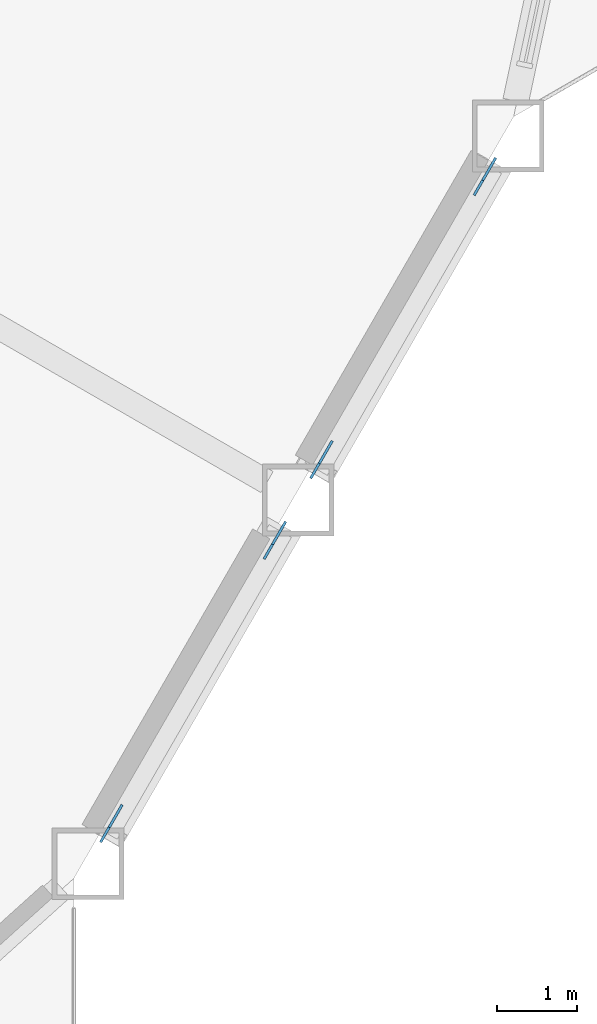
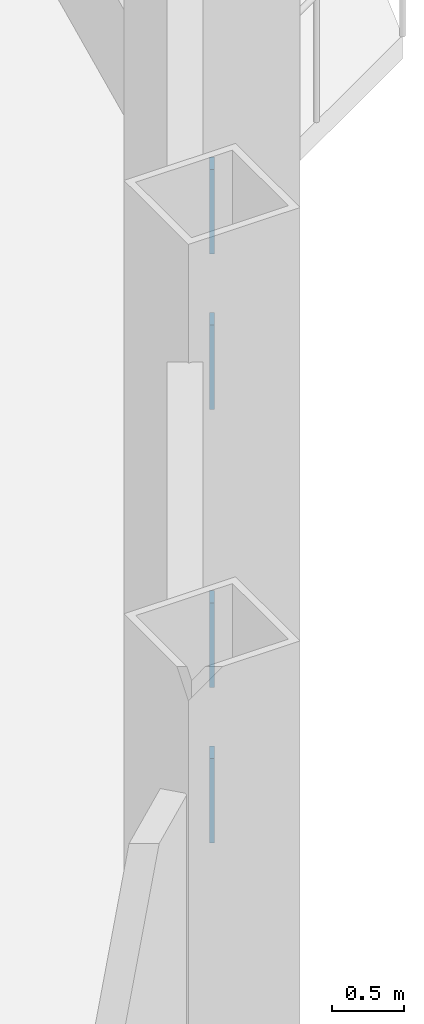
# One storey, part 15 of 21: 4 discrete accessories.
"""IFC4 building model written with IfcOpenShell, lengths in metres."""

import ifcopenshell
import ifcopenshell.guid

model = None  # the IFC model being written
_history = None  # IfcOwnerHistory: only IFC2X3 demands one
_inside = {}  # id of a spatial element -> (the spatial element, [elements in it])
_under = {}  # id of a project, library or spatial element -> (it, [spatial elements below it])
_declared = {}  # id of a project -> (the project, [libraries it declares])
_typed = {}  # id of a type object -> (the type object, [elements of that type])
_made_of = {}  # id of a material, layer set ... -> (it, [elements and type objects made of it])


def new_model(schema):
    """Start an empty IFC model of exactly this schema.

    Asked for "IFC4X3", IfcOpenShell would pick the latest addendum, in which some entities
    have other attributes; the version numbers below select the first issue.
    IFC2X3 requires an IfcOwnerHistory on every rooted entity: one is made here for all.
    """
    global model, _history
    if schema == "IFC4X3":
        model = ifcopenshell.file(schema_version=(4, 3, 0, 0))
    else:
        model = ifcopenshell.file(schema=schema)
    _inside.clear()
    _under.clear()
    _declared.clear()
    _typed.clear()
    _made_of.clear()
    _history = None
    if model.schema == "IFC2X3":
        org = make("IfcOrganization", Name="unknown")
        user = make(
            "IfcPersonAndOrganization",
            ThePerson=make("IfcPerson", FamilyName="unknown"),
            TheOrganization=org,
        )
        app = make(
            "IfcApplication",
            ApplicationDeveloper=org,
            Version="unknown",
            ApplicationFullName="unknown",
            ApplicationIdentifier="unknown",
        )
        _history = make(
            "IfcOwnerHistory",
            OwningUser=user,
            OwningApplication=app,
            ChangeAction="ADDED",
            CreationDate=0,
        )
    return model


def make(cls, **values):
    """One entity of the class cls with the attributes given. An attribute that is None is left unset."""
    return model.create_entity(
        cls, **{name: value for name, value in values.items() if value is not None}
    )


def rooted(cls, **values):
    """An entity with a GlobalId (a new one), such as an element, a storey or a relation."""
    return make(cls, GlobalId=ifcopenshell.guid.new(), OwnerHistory=_history, **values)


def si_unit(unit_type, name, prefix=None):
    """IfcSIUnit, for example si_unit("LENGTHUNIT", "METRE", prefix="MILLI")."""
    return make("IfcSIUnit", UnitType=unit_type, Prefix=prefix, Name=name)


def assignment(units):
    """IfcUnitAssignment: the units of a project."""
    return None if units is None else make("IfcUnitAssignment", Units=units)


def point(xyz):
    """IfcCartesianPoint."""
    return None if xyz is None else make("IfcCartesianPoint", Coordinates=xyz)


def direction(xyz):
    """IfcDirection."""
    return None if xyz is None else make("IfcDirection", DirectionRatios=xyz)


def frame(location, z_axis=None, x_axis=None):
    """IfcAxis2Placement3D, a coordinate frame: its origin and axes. An axis left out is left unset."""
    return make(
        "IfcAxis2Placement3D",
        Location=point(location),
        Axis=direction(z_axis),
        RefDirection=direction(x_axis),
    )


def frame_2d(location, x_axis=None):
    """IfcAxis2Placement2D, a coordinate frame in the plane: its origin and x axis."""
    return make(
        "IfcAxis2Placement2D", Location=point(location), RefDirection=direction(x_axis)
    )


def origin():
    """The frame at (0, 0, 0) with its axes left unset."""
    return frame((0.0, 0.0, 0.0))


def origin_2d():
    """The frame at (0, 0) in the plane with its x axis left unset."""
    return frame_2d((0.0, 0.0))


def place(relative_to, where):
    """IfcLocalPlacement: puts the frame where relative to a parent placement (None: the world)."""
    return make(
        "IfcLocalPlacement", PlacementRelTo=relative_to, RelativePlacement=where
    )


def context(
    kind, dimensions, precision=None, world=None, true_north=None, identifier=None
):
    """IfcGeometricRepresentationContext, for example the 3D "Model" context."""
    return make(
        "IfcGeometricRepresentationContext",
        ContextIdentifier=identifier,
        ContextType=kind,
        CoordinateSpaceDimension=dimensions,
        Precision=precision,
        WorldCoordinateSystem=world,
        TrueNorth=true_north,
    )


def subcontext(parent, identifier, kind, view, scale=None):
    """IfcGeometricRepresentationSubContext, for example "Body" below "Model"."""
    return make(
        "IfcGeometricRepresentationSubContext",
        ContextIdentifier=identifier,
        ContextType=kind,
        ParentContext=parent,
        TargetScale=scale,
        TargetView=view,
    )


def project(units=None, contexts=None):
    """IfcProject with its units and contexts."""
    return rooted(
        "IfcProject",
        Name="project",
        RepresentationContexts=contexts,
        UnitsInContext=assignment(units),
    )


def spatial(cls, under=None, at=None, **own):
    """A site, building, storey or space (cls), placed at a placement, below another one or the project."""
    s = rooted(cls, ObjectPlacement=at, **own)
    if under is not None:
        _under.setdefault(under.id(), (under, []))[1].append(s)
    return s


def profile(cls, at=None, kind="AREA", **sizes):
    """A parametric profile (cls). Its sizes go by their IFC names, for example OverallWidth=200.0."""
    return make(cls, ProfileType=kind, Position=at, **sizes)


def rectangle(**sizes):
    """IfcRectangleProfileDef."""
    return profile("IfcRectangleProfileDef", **sizes)


def extrude(swept, where, along, depth):
    """IfcExtrudedAreaSolid: the profile swept, set in the frame where, extruded along a direction by depth."""
    return make(
        "IfcExtrudedAreaSolid",
        SweptArea=swept,
        Position=where,
        ExtrudedDirection=direction(along),
        Depth=depth,
    )


def shape(context_of_items, identifier, shape_type, items):
    """IfcShapeRepresentation: the items that make up one representation, for example the "Body"."""
    return make(
        "IfcShapeRepresentation",
        ContextOfItems=context_of_items,
        RepresentationIdentifier=identifier,
        RepresentationType=shape_type,
        Items=items,
    )


def material(Name=None, Category=None):
    """IfcMaterial."""
    return make("IfcMaterial", Name=Name, Category=Category)


def material_profile(
    of_material, cross_section, Name=None, Category=None, Priority=None
):
    """IfcMaterialProfile: a cross section and its material."""
    return make(
        "IfcMaterialProfile",
        Name=Name,
        Material=of_material,
        Profile=cross_section,
        Priority=Priority,
        Category=Category,
    )


def profile_set(profiles, Name=None, composite=None):
    """IfcMaterialProfileSet."""
    return make(
        "IfcMaterialProfileSet",
        Name=Name,
        MaterialProfiles=profiles,
        CompositeProfile=composite,
    )


def made_of(thing, what):
    """Note that an element or type object is made of a material, layer set ...; save() writes the relation."""
    if what is not None:
        _made_of.setdefault(what.id(), (what, []))[1].append(thing)
    return thing


def type_object(cls, material=None, **own):
    """A type object (cls), such as IfcWallType, which elements share."""
    return made_of(rooted(cls, **own), material)


def element(
    cls,
    number,
    at=None,
    inside=None,
    cuts=None,
    type_object=None,
    material=None,
    context=None,
    identifier="Body",
    shape_type=None,
    held_by="IfcProductDefinitionShape",
    body=None,
    shapes=None,
    **own,
):
    """One element of the class cls, such as IfcWall. Its Tag is "e" and its number.

    at: its placement. inside: the storey or other place that contains it. cuts: it is an
    opening in that element (IfcRelVoidsElement). A single representation is given by context,
    identifier, shape_type and body (its items); several are given by shapes. held_by: the class
    of the entity that holds the representations. save() writes the other relations.
    """
    e = rooted(cls, Tag="e%d" % number, ObjectPlacement=at, **own)
    if body is not None:
        shapes = [shape(context, identifier, shape_type, body)]
    if shapes is not None:
        e.Representation = make(held_by, Representations=shapes)
    if inside is not None:
        _inside.setdefault(inside.id(), (inside, []))[1].append(e)
    if cuts is not None:
        rooted(
            "IfcRelVoidsElement", RelatingBuildingElement=cuts, RelatedOpeningElement=e
        )
    if type_object is not None:
        _typed.setdefault(type_object.id(), (type_object, []))[1].append(e)
    return made_of(e, material)


def aggregate(whole, parts):
    """IfcRelAggregates: a whole, such as a stair, and the parts it consists of."""
    return rooted("IfcRelAggregates", RelatingObject=whole, RelatedObjects=parts)


def save(model, path):
    """Write the relations noted so far, then the file.

    IfcRelAggregates (storeys below a building ...), IfcRelContainedInSpatialStructure (elements
    in a storey), IfcRelDefinesByType, IfcRelAssociatesMaterial and IfcRelDeclares: one each for
    every whole, place, type object, material and project.
    """
    for whole, parts in _under.values():
        aggregate(whole, parts)
    for where, things in _inside.values():
        rooted(
            "IfcRelContainedInSpatialStructure",
            RelatedElements=things,
            RelatingStructure=where,
        )
    for kind, things in _typed.values():
        rooted("IfcRelDefinesByType", RelatedObjects=things, RelatingType=kind)
    for what, things in _made_of.values():
        rooted("IfcRelAssociatesMaterial", RelatedObjects=things, RelatingMaterial=what)
    for by, libraries in _declared.values():
        rooted("IfcRelDeclares", RelatingContext=by, RelatedDefinitions=libraries)
    model.write(path)


model = new_model("IFC4")

# Units and contexts
model_context = context("Model", 3, precision=1e-05, world=origin(), true_north=direction((0.0, 1.0)))
body_context = subcontext(model_context, "Body", "Model", "MODEL_VIEW")
ifc_project = project(units=[si_unit("LENGTHUNIT", "METRE"), si_unit("AREAUNIT", "SQUARE_METRE"), si_unit("VOLUMEUNIT", "CUBIC_METRE"), si_unit("PLANEANGLEUNIT", "RADIAN"), si_unit("MASSUNIT", "GRAM", prefix="KILO")], contexts=[model_context])

# Site, building, storey
site_placement = place(None, origin())
site = spatial("IfcSite", under=ifc_project, at=site_placement, CompositionType="ELEMENT")
building_placement = place(site_placement, origin())
building = spatial("IfcBuilding", under=site, at=building_placement, Name="Cormorant Prow Tower", CompositionType="ELEMENT")
storey_placement = place(building_placement, frame((0.0, 0.0, 137.39990234375)))
storey = spatial("IfcBuildingStorey", under=building, at=storey_placement, Name="L29", CompositionType="ELEMENT", Elevation=137.39990234375)

# Discrete accessories
ifc_material = material(Name="Structural steel ASTM A500 Gr C", Category="steel")
ifc_material_profile = material_profile(ifc_material, rectangle(XDim=0.031982421875, YDim=0.60791015625, at=origin_2d()), Name="Gusset plate 32x608")
ifc_profile_set = profile_set([ifc_material_profile], Name="Structural steel ASTM A500 Gr C")
discrete_accessory_type = type_object("IfcDiscreteAccessoryType", Name="Gusset plate 32x608", PredefinedType="BRACKET", material=ifc_profile_set)
discrete_accessory_placement = place(storey_placement, frame((27.76025390625, -16.8916015625, 0.882568359375), z_axis=(0.468167615655, 0.810048586848, -0.353044431477), x_axis=(-0.865800459427, 0.500389412813, 0.0)))
element("IfcDiscreteAccessory", 1, at=discrete_accessory_placement, inside=storey, type_object=discrete_accessory_type, Name="Gusset plate GP1 L29.ESE00.g0", PredefinedType="BRACKET", context=body_context, shape_type="SweptSolid", body=[
    extrude(rectangle(XDim=0.031982421875, YDim=0.60791015625, at=origin_2d()), origin(), (0.0, 0.0, 1.0), 0.349853515625),
])
for number, where, z_axis, x_axis, name in (
    (2, (25.8740234375, -20.158935546875, 2.306396484375), (-0.467787927946, -0.810088781331, 0.353455260013), (0.865987003449, -0.500066505434, 0.0), "Gusset plate GP1 L29.ESE00.g1"),
    (3, (30.39501953125, -12.328125, 0.882568359375), (0.467903125124, 0.810288273314, -0.352844979601), (-0.865987003449, 0.500066505434, 0.0), "Gusset plate GP1 L29.ESE01.g0"),
    (4, (28.5087890625, -15.59521484375, 2.306396484375), (-0.467787927946, -0.810088781331, 0.353455260013), (0.865987003449, -0.500066505434, 0.0), "Gusset plate GP1 L29.ESE01.g1"),
):
    element("IfcDiscreteAccessory", number, at=place(storey_placement, frame(where, z_axis=z_axis, x_axis=x_axis)), inside=storey, type_object=discrete_accessory_type, Name=name, PredefinedType="BRACKET", context=body_context, shape_type="SweptSolid", body=[
        extrude(rectangle(XDim=0.031982421875, YDim=0.60791015625, at=origin_2d()), origin(), (0.0, 0.0, 1.0), 0.35009765625),
    ])

save(model, "model.ifc")
